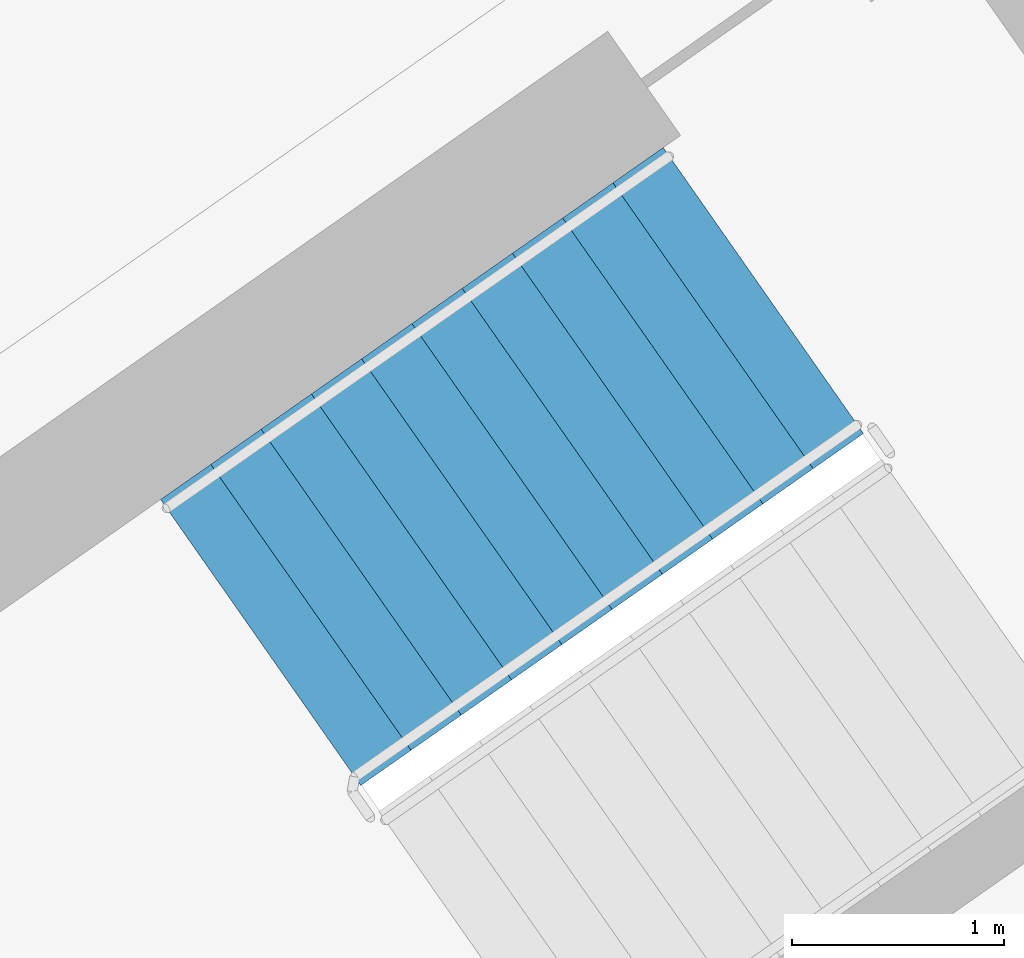
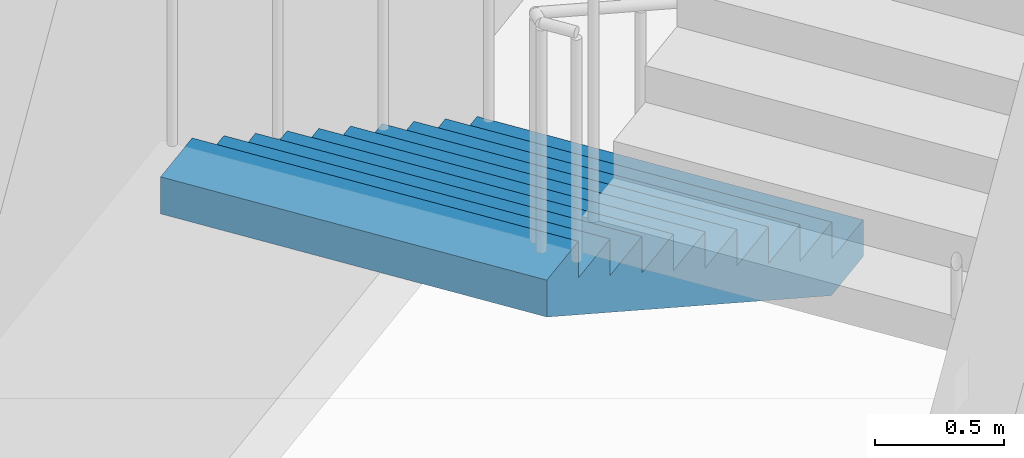
# One storey, part 18 of 27: 1 stair flight, 1 element without a shape of its own.
"""IFC4 building model written with IfcOpenShell, lengths in metres."""

from ifc_helpers import new_model, si_unit, direction, frame, origin, place, context, subcontext, project, spatial, faceted_brep, material, type_object, element, aggregate, save


model = new_model("IFC4")

# Units and contexts
model_context = context("Model", 3, precision=1e-05, world=origin(), true_north=direction((0.0, 1.0)))
body_context = subcontext(model_context, "Body", "Model", "MODEL_VIEW")
ifc_project = project(units=[si_unit("LENGTHUNIT", "METRE"), si_unit("AREAUNIT", "SQUARE_METRE"), si_unit("VOLUMEUNIT", "CUBIC_METRE"), si_unit("PLANEANGLEUNIT", "RADIAN"), si_unit("MASSUNIT", "GRAM", prefix="KILO")], contexts=[model_context])

# Site, building, storey
site_placement = place(None, origin())
site = spatial("IfcSite", under=ifc_project, at=site_placement, CompositionType="ELEMENT")
building_placement = place(site_placement, origin())
building = spatial("IfcBuilding", under=site, at=building_placement, Name="Qamariyya Broadcast Tower", CompositionType="ELEMENT")
storey_placement = place(building_placement, frame((0.0, 0.0, 187.300048828125)))
storey = spatial("IfcBuildingStorey", under=building, at=storey_placement, Name="L44", CompositionType="ELEMENT", Elevation=187.300048828125)

# Stair, stair flight
ifc_material = material(Name="Concrete C50/60", Category="concrete")
stair_type = type_object("IfcStairType", Name="Exit stair 22 risers of 173 mm", PredefinedType="HALF_TURN_STAIR", material=ifc_material)
stair_placement = place(storey_placement, origin())
stair = element("IfcStair", 1, at=stair_placement, inside=storey, type_object=stair_type, Name="L44 Stair E2", PredefinedType="HALF_TURN_STAIR")
stair_flight_type = type_object("IfcStairFlightType", Name="Exit stair flight 11 risers of 173 mm", PredefinedType="STRAIGHT", material=ifc_material)
stair_flight_placement = place(storey_placement, frame((40.558837890625, -47.685302734375, 0.0), z_axis=(0.0, 0.0, 1.0), x_axis=(-0.819152044289, -0.573576436351, 0.0)))
stair_flight = element("IfcStairFlight", 2, at=stair_flight_placement, type_object=stair_flight_type, Name="ST-E2 flight 1", NumberOfRisers=11, NumberOfTreads=10, PredefinedType="STRAIGHT", RiserHeight=0.172727273, TreadLength=0.29, context=body_context, shape_type="Brep", body=[
    faceted_brep([(0.0, 0.824951171875, 0.0), (0.0, 0.824951171875, 0.172607421875), (0.2900390625, 0.824951171875, 0.172607421875), (0.2900390625, 0.824951171875, 0.345458984375), (0.580078125, 0.824951171875, 0.345458984375), (0.580078125, 0.824951171875, 0.51806640625), (0.8701171875, 0.824951171875, 0.51806640625), (0.8701171875, 0.824951171875, 0.69091796875), (1.159912109375, 0.824951171875, 0.69091796875), (1.159912109375, 0.824951171875, 0.863525390625), (1.449951171875, 0.824951171875, 0.863525390625), (1.449951171875, 0.824951171875, 1.036376953125), (1.739990234375, 0.824951171875, 1.036376953125), (1.739990234375, 0.824951171875, 1.208984375), (2.030029296875, 0.824951171875, 1.208984375), (2.030029296875, 0.824951171875, 1.3818359375), (2.320068359375, 0.824951171875, 1.3818359375), (2.320068359375, 0.824951171875, 1.554443359375), (2.610107421875, 0.824951171875, 1.554443359375), (2.610107421875, 0.824951171875, 1.727294921875), (2.89990234375, 0.824951171875, 1.727294921875), (2.89990234375, 0.824951171875, 1.552734375), (0.29296875, 0.824951171875, 0.0), (0.29296875, -0.824951171875, 0.0), (2.89990234375, -0.824951171875, 1.552734375), (2.89990234375, -0.824951171875, 1.727294921875), (2.610107421875, -0.824951171875, 1.727294921875), (2.610107421875, -0.824951171875, 1.554443359375), (2.320068359375, -0.824951171875, 1.554443359375), (2.320068359375, -0.824951171875, 1.3818359375), (2.030029296875, -0.824951171875, 1.3818359375), (2.030029296875, -0.824951171875, 1.208984375), (1.739990234375, -0.824951171875, 1.208984375), (1.739990234375, -0.824951171875, 1.036376953125), (1.449951171875, -0.824951171875, 1.036376953125), (1.449951171875, -0.824951171875, 0.863525390625), (1.159912109375, -0.824951171875, 0.863525390625), (1.159912109375, -0.824951171875, 0.69091796875), (0.8701171875, -0.824951171875, 0.69091796875), (0.8701171875, -0.824951171875, 0.51806640625), (0.580078125, -0.824951171875, 0.51806640625), (0.580078125, -0.824951171875, 0.345458984375), (0.2900390625, -0.824951171875, 0.345458984375), (0.2900390625, -0.824951171875, 0.172607421875), (0.0, -0.824951171875, 0.172607421875), (0.0, -0.824951171875, 0.0), (0.0, 0.10009765625, 0.0), (0.0, 0.086669921875, 0.0), (0.0, 0.0732421875, 0.0), (0.0, 0.06005859375, 0.0), (0.0, 0.046630859375, 0.0), (0.0, 0.033447265625, 0.0), (0.0, 0.02001953125, 0.0), (0.0, 0.006591796875, 0.0), (0.0, -0.006591796875, 0.0), (0.0, -0.02001953125, 0.0), (0.0, -0.033447265625, 0.0), (0.0, -0.046630859375, 0.0), (0.0, -0.06005859375, 0.0), (0.0, -0.0732421875, 0.0), (0.0, -0.086669921875, 0.0), (0.0, -0.10009765625, 0.0), (0.0, -0.10009765625, 0.172607421875), (0.0, -0.086669921875, 0.172607421875), (0.0, -0.0732421875, 0.172607421875), (0.0, -0.06005859375, 0.172607421875), (0.0, -0.046630859375, 0.172607421875), (0.0, -0.033447265625, 0.172607421875), (0.0, -0.02001953125, 0.172607421875), (0.0, -0.006591796875, 0.172607421875), (0.0, 0.006591796875, 0.172607421875), (0.0, 0.02001953125, 0.172607421875), (0.0, 0.033447265625, 0.172607421875), (0.0, 0.046630859375, 0.172607421875), (0.0, 0.06005859375, 0.172607421875), (0.0, 0.0732421875, 0.172607421875), (0.0, 0.086669921875, 0.172607421875), (0.0, 0.10009765625, 0.172607421875), (0.2900390625, -0.10009765625, 0.172607421875), (0.2900390625, -0.086669921875, 0.172607421875), (0.2900390625, -0.0732421875, 0.172607421875), (0.2900390625, -0.06005859375, 0.172607421875), (0.2900390625, -0.046630859375, 0.172607421875), (0.2900390625, -0.033447265625, 0.172607421875), (0.2900390625, -0.02001953125, 0.172607421875), (0.2900390625, -0.006591796875, 0.172607421875), (0.2900390625, 0.006591796875, 0.172607421875), (0.2900390625, 0.02001953125, 0.172607421875), (0.2900390625, 0.033447265625, 0.172607421875), (0.2900390625, 0.046630859375, 0.172607421875), (0.2900390625, 0.06005859375, 0.172607421875), (0.2900390625, 0.0732421875, 0.172607421875), (0.2900390625, 0.086669921875, 0.172607421875), (0.2900390625, 0.10009765625, 0.172607421875), (0.2900390625, -0.10009765625, 0.345458984375), (0.2900390625, -0.086669921875, 0.345458984375), (0.2900390625, -0.0732421875, 0.345458984375), (0.2900390625, -0.06005859375, 0.345458984375), (0.2900390625, -0.046630859375, 0.345458984375), (0.2900390625, -0.033447265625, 0.345458984375), (0.2900390625, -0.02001953125, 0.345458984375), (0.2900390625, -0.006591796875, 0.345458984375), (0.2900390625, 0.006591796875, 0.345458984375), (0.2900390625, 0.02001953125, 0.345458984375), (0.2900390625, 0.033447265625, 0.345458984375), (0.2900390625, 0.046630859375, 0.345458984375), (0.2900390625, 0.06005859375, 0.345458984375), (0.2900390625, 0.0732421875, 0.345458984375), (0.2900390625, 0.086669921875, 0.345458984375), (0.2900390625, 0.10009765625, 0.345458984375), (0.580078125, -0.10009765625, 0.345458984375), (0.580078125, -0.086669921875, 0.345458984375), (0.580078125, -0.0732421875, 0.345458984375), (0.580078125, -0.06005859375, 0.345458984375), (0.580078125, -0.046630859375, 0.345458984375), (0.580078125, -0.033447265625, 0.345458984375), (0.580078125, -0.02001953125, 0.345458984375), (0.580078125, -0.006591796875, 0.345458984375), (0.580078125, 0.006591796875, 0.345458984375), (0.580078125, 0.02001953125, 0.345458984375), (0.580078125, 0.033447265625, 0.345458984375), (0.580078125, 0.046630859375, 0.345458984375), (0.580078125, 0.06005859375, 0.345458984375), (0.580078125, 0.0732421875, 0.345458984375), (0.580078125, 0.086669921875, 0.345458984375), (0.580078125, 0.10009765625, 0.345458984375), (0.580078125, -0.10009765625, 0.51806640625), (0.580078125, -0.086669921875, 0.51806640625), (0.580078125, -0.0732421875, 0.51806640625), (0.580078125, -0.06005859375, 0.51806640625), (0.580078125, -0.046630859375, 0.51806640625), (0.580078125, -0.033447265625, 0.51806640625), (0.580078125, -0.02001953125, 0.51806640625), (0.580078125, -0.006591796875, 0.51806640625), (0.580078125, 0.006591796875, 0.51806640625), (0.580078125, 0.02001953125, 0.51806640625), (0.580078125, 0.033447265625, 0.51806640625), (0.580078125, 0.046630859375, 0.51806640625), (0.580078125, 0.06005859375, 0.51806640625), (0.580078125, 0.0732421875, 0.51806640625), (0.580078125, 0.086669921875, 0.51806640625), (0.580078125, 0.10009765625, 0.51806640625), (0.8701171875, -0.10009765625, 0.51806640625), (0.8701171875, -0.086669921875, 0.51806640625), (0.8701171875, -0.0732421875, 0.51806640625), (0.8701171875, -0.06005859375, 0.51806640625), (0.8701171875, -0.046630859375, 0.51806640625), (0.8701171875, -0.033447265625, 0.51806640625), (0.8701171875, -0.02001953125, 0.51806640625), (0.8701171875, -0.006591796875, 0.51806640625), (0.8701171875, 0.006591796875, 0.51806640625), (0.8701171875, 0.02001953125, 0.51806640625), (0.8701171875, 0.033447265625, 0.51806640625), (0.8701171875, 0.046630859375, 0.51806640625), (0.8701171875, 0.06005859375, 0.51806640625), (0.8701171875, 0.0732421875, 0.51806640625), (0.8701171875, 0.086669921875, 0.51806640625), (0.8701171875, 0.10009765625, 0.51806640625), (0.8701171875, -0.10009765625, 0.69091796875), (0.8701171875, -0.086669921875, 0.69091796875), (0.8701171875, -0.0732421875, 0.69091796875), (0.8701171875, -0.06005859375, 0.69091796875), (0.8701171875, -0.046630859375, 0.69091796875), (0.8701171875, -0.033447265625, 0.69091796875), (0.8701171875, -0.02001953125, 0.69091796875), (0.8701171875, -0.006591796875, 0.69091796875), (0.8701171875, 0.006591796875, 0.69091796875), (0.8701171875, 0.02001953125, 0.69091796875), (0.8701171875, 0.033447265625, 0.69091796875), (0.8701171875, 0.046630859375, 0.69091796875), (0.8701171875, 0.06005859375, 0.69091796875), (0.8701171875, 0.0732421875, 0.69091796875), (0.8701171875, 0.086669921875, 0.69091796875), (0.8701171875, 0.10009765625, 0.69091796875), (1.159912109375, -0.10009765625, 0.69091796875), (1.159912109375, -0.086669921875, 0.69091796875), (1.159912109375, -0.0732421875, 0.69091796875), (1.159912109375, -0.06005859375, 0.69091796875), (1.159912109375, -0.046630859375, 0.69091796875), (1.159912109375, -0.033447265625, 0.69091796875), (1.159912109375, -0.02001953125, 0.69091796875), (1.159912109375, -0.006591796875, 0.69091796875), (1.159912109375, 0.006591796875, 0.69091796875), (1.159912109375, 0.02001953125, 0.69091796875), (1.159912109375, 0.033447265625, 0.69091796875), (1.159912109375, 0.046630859375, 0.69091796875), (1.159912109375, 0.06005859375, 0.69091796875), (1.159912109375, 0.0732421875, 0.69091796875), (1.159912109375, 0.086669921875, 0.69091796875), (1.159912109375, 0.10009765625, 0.69091796875), (1.159912109375, -0.10009765625, 0.863525390625), (1.159912109375, -0.086669921875, 0.863525390625), (1.159912109375, -0.0732421875, 0.863525390625), (1.159912109375, -0.06005859375, 0.863525390625), (1.159912109375, -0.046630859375, 0.863525390625), (1.159912109375, -0.033447265625, 0.863525390625), (1.159912109375, -0.02001953125, 0.863525390625), (1.159912109375, -0.006591796875, 0.863525390625), (1.159912109375, 0.006591796875, 0.863525390625), (1.159912109375, 0.02001953125, 0.863525390625), (1.159912109375, 0.033447265625, 0.863525390625), (1.159912109375, 0.046630859375, 0.863525390625), (1.159912109375, 0.06005859375, 0.863525390625), (1.159912109375, 0.0732421875, 0.863525390625), (1.159912109375, 0.086669921875, 0.863525390625), (1.159912109375, 0.10009765625, 0.863525390625), (1.449951171875, -0.10009765625, 0.863525390625), (1.449951171875, -0.086669921875, 0.863525390625), (1.449951171875, -0.0732421875, 0.863525390625), (1.449951171875, -0.06005859375, 0.863525390625), (1.449951171875, -0.046630859375, 0.863525390625), (1.449951171875, -0.033447265625, 0.863525390625), (1.449951171875, -0.02001953125, 0.863525390625), (1.449951171875, -0.006591796875, 0.863525390625), (1.449951171875, 0.006591796875, 0.863525390625), (1.449951171875, 0.02001953125, 0.863525390625), (1.449951171875, 0.033447265625, 0.863525390625), (1.449951171875, 0.046630859375, 0.863525390625), (1.449951171875, 0.06005859375, 0.863525390625), (1.449951171875, 0.0732421875, 0.863525390625), (1.449951171875, 0.086669921875, 0.863525390625), (1.449951171875, 0.10009765625, 0.863525390625), (1.449951171875, -0.10009765625, 1.036376953125), (1.449951171875, -0.086669921875, 1.036376953125), (1.449951171875, -0.0732421875, 1.036376953125), (1.449951171875, -0.06005859375, 1.036376953125), (1.449951171875, -0.046630859375, 1.036376953125), (1.449951171875, -0.033447265625, 1.036376953125), (1.449951171875, -0.02001953125, 1.036376953125), (1.449951171875, -0.006591796875, 1.036376953125), (1.449951171875, 0.006591796875, 1.036376953125), (1.449951171875, 0.02001953125, 1.036376953125), (1.449951171875, 0.033447265625, 1.036376953125), (1.449951171875, 0.046630859375, 1.036376953125), (1.449951171875, 0.06005859375, 1.036376953125), (1.449951171875, 0.0732421875, 1.036376953125), (1.449951171875, 0.086669921875, 1.036376953125), (1.449951171875, 0.10009765625, 1.036376953125), (1.739990234375, -0.10009765625, 1.036376953125), (1.739990234375, -0.086669921875, 1.036376953125), (1.739990234375, -0.0732421875, 1.036376953125), (1.739990234375, -0.06005859375, 1.036376953125), (1.739990234375, -0.046630859375, 1.036376953125), (1.739990234375, -0.033447265625, 1.036376953125), (1.739990234375, -0.02001953125, 1.036376953125), (1.739990234375, -0.006591796875, 1.036376953125), (1.739990234375, 0.006591796875, 1.036376953125), (1.739990234375, 0.02001953125, 1.036376953125), (1.739990234375, 0.033447265625, 1.036376953125), (1.739990234375, 0.046630859375, 1.036376953125), (1.739990234375, 0.06005859375, 1.036376953125), (1.739990234375, 0.0732421875, 1.036376953125), (1.739990234375, 0.086669921875, 1.036376953125), (1.739990234375, 0.10009765625, 1.036376953125), (1.739990234375, -0.10009765625, 1.208984375), (1.739990234375, -0.086669921875, 1.208984375), (1.739990234375, -0.0732421875, 1.208984375), (1.739990234375, -0.06005859375, 1.208984375), (1.739990234375, -0.046630859375, 1.208984375), (1.739990234375, -0.033447265625, 1.208984375), (1.739990234375, -0.02001953125, 1.208984375), (1.739990234375, -0.006591796875, 1.208984375), (1.739990234375, 0.006591796875, 1.208984375), (1.739990234375, 0.02001953125, 1.208984375), (1.739990234375, 0.033447265625, 1.208984375), (1.739990234375, 0.046630859375, 1.208984375), (1.739990234375, 0.06005859375, 1.208984375), (1.739990234375, 0.0732421875, 1.208984375), (1.739990234375, 0.086669921875, 1.208984375), (1.739990234375, 0.10009765625, 1.208984375), (2.030029296875, -0.10009765625, 1.208984375), (2.030029296875, -0.086669921875, 1.208984375), (2.030029296875, -0.0732421875, 1.208984375), (2.030029296875, -0.06005859375, 1.208984375), (2.030029296875, -0.046630859375, 1.208984375), (2.030029296875, -0.033447265625, 1.208984375), (2.030029296875, -0.02001953125, 1.208984375), (2.030029296875, -0.006591796875, 1.208984375), (2.030029296875, 0.006591796875, 1.208984375), (2.030029296875, 0.02001953125, 1.208984375), (2.030029296875, 0.033447265625, 1.208984375), (2.030029296875, 0.046630859375, 1.208984375), (2.030029296875, 0.06005859375, 1.208984375), (2.030029296875, 0.0732421875, 1.208984375), (2.030029296875, 0.086669921875, 1.208984375), (2.030029296875, 0.10009765625, 1.208984375), (2.030029296875, -0.10009765625, 1.3818359375), (2.030029296875, -0.086669921875, 1.3818359375), (2.030029296875, -0.0732421875, 1.3818359375), (2.030029296875, -0.06005859375, 1.3818359375), (2.030029296875, -0.046630859375, 1.3818359375), (2.030029296875, -0.033447265625, 1.3818359375), (2.030029296875, -0.02001953125, 1.3818359375), (2.030029296875, -0.006591796875, 1.3818359375), (2.030029296875, 0.006591796875, 1.3818359375), (2.030029296875, 0.02001953125, 1.3818359375), (2.030029296875, 0.033447265625, 1.3818359375), (2.030029296875, 0.046630859375, 1.3818359375), (2.030029296875, 0.06005859375, 1.3818359375), (2.030029296875, 0.0732421875, 1.3818359375), (2.030029296875, 0.086669921875, 1.3818359375), (2.030029296875, 0.10009765625, 1.3818359375), (2.320068359375, -0.10009765625, 1.3818359375), (2.320068359375, -0.086669921875, 1.3818359375), (2.320068359375, -0.0732421875, 1.3818359375), (2.320068359375, -0.06005859375, 1.3818359375), (2.320068359375, -0.046630859375, 1.3818359375), (2.320068359375, -0.033447265625, 1.3818359375), (2.320068359375, -0.02001953125, 1.3818359375), (2.320068359375, -0.006591796875, 1.3818359375), (2.320068359375, 0.006591796875, 1.3818359375), (2.320068359375, 0.02001953125, 1.3818359375), (2.320068359375, 0.033447265625, 1.3818359375), (2.320068359375, 0.046630859375, 1.3818359375), (2.320068359375, 0.06005859375, 1.3818359375), (2.320068359375, 0.0732421875, 1.3818359375), (2.320068359375, 0.086669921875, 1.3818359375), (2.320068359375, 0.10009765625, 1.3818359375), (2.320068359375, -0.10009765625, 1.554443359375), (2.320068359375, -0.086669921875, 1.554443359375), (2.320068359375, -0.0732421875, 1.554443359375), (2.320068359375, -0.06005859375, 1.554443359375), (2.320068359375, -0.046630859375, 1.554443359375), (2.320068359375, -0.033447265625, 1.554443359375), (2.320068359375, -0.02001953125, 1.554443359375), (2.320068359375, -0.006591796875, 1.554443359375), (2.320068359375, 0.006591796875, 1.554443359375), (2.320068359375, 0.02001953125, 1.554443359375), (2.320068359375, 0.033447265625, 1.554443359375), (2.320068359375, 0.046630859375, 1.554443359375), (2.320068359375, 0.06005859375, 1.554443359375), (2.320068359375, 0.0732421875, 1.554443359375), (2.320068359375, 0.086669921875, 1.554443359375), (2.320068359375, 0.10009765625, 1.554443359375), (2.610107421875, -0.10009765625, 1.554443359375), (2.610107421875, -0.086669921875, 1.554443359375), (2.610107421875, -0.0732421875, 1.554443359375), (2.610107421875, -0.06005859375, 1.554443359375), (2.610107421875, -0.046630859375, 1.554443359375), (2.610107421875, -0.033447265625, 1.554443359375), (2.610107421875, -0.02001953125, 1.554443359375), (2.610107421875, -0.006591796875, 1.554443359375), (2.610107421875, 0.006591796875, 1.554443359375), (2.610107421875, 0.02001953125, 1.554443359375), (2.610107421875, 0.033447265625, 1.554443359375), (2.610107421875, 0.046630859375, 1.554443359375), (2.610107421875, 0.06005859375, 1.554443359375), (2.610107421875, 0.0732421875, 1.554443359375), (2.610107421875, 0.086669921875, 1.554443359375), (2.610107421875, 0.10009765625, 1.554443359375), (2.610107421875, -0.10009765625, 1.727294921875), (2.610107421875, -0.086669921875, 1.727294921875), (2.610107421875, -0.0732421875, 1.727294921875), (2.610107421875, -0.06005859375, 1.727294921875), (2.610107421875, -0.046630859375, 1.727294921875), (2.610107421875, -0.033447265625, 1.727294921875), (2.610107421875, -0.02001953125, 1.727294921875), (2.610107421875, -0.006591796875, 1.727294921875), (2.610107421875, 0.006591796875, 1.727294921875), (2.610107421875, 0.02001953125, 1.727294921875), (2.610107421875, 0.033447265625, 1.727294921875), (2.610107421875, 0.046630859375, 1.727294921875), (2.610107421875, 0.06005859375, 1.727294921875), (2.610107421875, 0.0732421875, 1.727294921875), (2.610107421875, 0.086669921875, 1.727294921875), (2.610107421875, 0.10009765625, 1.727294921875), (2.89990234375, -0.10009765625, 1.727294921875), (2.89990234375, -0.086669921875, 1.727294921875), (2.89990234375, -0.0732421875, 1.727294921875), (2.89990234375, -0.06005859375, 1.727294921875), (2.89990234375, -0.046630859375, 1.727294921875), (2.89990234375, -0.033447265625, 1.727294921875), (2.89990234375, -0.02001953125, 1.727294921875), (2.89990234375, -0.006591796875, 1.727294921875), (2.89990234375, 0.006591796875, 1.727294921875), (2.89990234375, 0.02001953125, 1.727294921875), (2.89990234375, 0.033447265625, 1.727294921875), (2.89990234375, 0.046630859375, 1.727294921875), (2.89990234375, 0.06005859375, 1.727294921875), (2.89990234375, 0.0732421875, 1.727294921875), (2.89990234375, 0.086669921875, 1.727294921875), (2.89990234375, 0.10009765625, 1.727294921875), (2.89990234375, -0.10009765625, 1.552734375), (2.89990234375, -0.086669921875, 1.552734375), (2.89990234375, -0.0732421875, 1.552734375), (2.89990234375, -0.06005859375, 1.552734375), (2.89990234375, -0.046630859375, 1.552734375), (2.89990234375, -0.033447265625, 1.552734375), (2.89990234375, -0.02001953125, 1.552734375), (2.89990234375, -0.006591796875, 1.552734375), (2.89990234375, 0.006591796875, 1.552734375), (2.89990234375, 0.02001953125, 1.552734375), (2.89990234375, 0.033447265625, 1.552734375), (2.89990234375, 0.046630859375, 1.552734375), (2.89990234375, 0.06005859375, 1.552734375), (2.89990234375, 0.0732421875, 1.552734375), (2.89990234375, 0.086669921875, 1.552734375), (2.89990234375, 0.10009765625, 1.552734375), (0.29296875, -0.10009765625, 0.0), (0.29296875, -0.086669921875, 0.0), (0.29296875, -0.0732421875, 0.0), (0.29296875, -0.06005859375, 0.0), (0.29296875, -0.046630859375, 0.0), (0.29296875, -0.033447265625, 0.0), (0.29296875, -0.02001953125, 0.0), (0.29296875, -0.006591796875, 0.0), (0.29296875, 0.006591796875, 0.0), (0.29296875, 0.02001953125, 0.0), (0.29296875, 0.033447265625, 0.0), (0.29296875, 0.046630859375, 0.0), (0.29296875, 0.06005859375, 0.0), (0.29296875, 0.0732421875, 0.0), (0.29296875, 0.086669921875, 0.0), (0.29296875, 0.10009765625, 0.0)], [[[0, 1, 2, 3, 4, 5, 6, 7, 8, 9, 10, 11, 12, 13, 14, 15, 16, 17, 18, 19, 20, 21, 22]], [[23, 24, 25, 26, 27, 28, 29, 30, 31, 32, 33, 34, 35, 36, 37, 38, 39, 40, 41, 42, 43, 44, 45]], [[0, 46, 47, 48, 49, 50, 51, 52, 53, 54, 55, 56, 57, 58, 59, 60, 61, 45, 44, 62, 63, 64, 65, 66, 67, 68, 69, 70, 71, 72, 73, 74, 75, 76, 77, 1]], [[1, 77, 76, 75, 74, 73, 72, 71, 70, 69, 68, 67, 66, 65, 64, 63, 62, 44, 43, 78, 79, 80, 81, 82, 83, 84, 85, 86, 87, 88, 89, 90, 91, 92, 93, 2]], [[2, 93, 92, 91, 90, 89, 88, 87, 86, 85, 84, 83, 82, 81, 80, 79, 78, 43, 42, 94, 95, 96, 97, 98, 99, 100, 101, 102, 103, 104, 105, 106, 107, 108, 109, 3]], [[3, 109, 108, 107, 106, 105, 104, 103, 102, 101, 100, 99, 98, 97, 96, 95, 94, 42, 41, 110, 111, 112, 113, 114, 115, 116, 117, 118, 119, 120, 121, 122, 123, 124, 125, 4]], [[4, 125, 124, 123, 122, 121, 120, 119, 118, 117, 116, 115, 114, 113, 112, 111, 110, 41, 40, 126, 127, 128, 129, 130, 131, 132, 133, 134, 135, 136, 137, 138, 139, 140, 141, 5]], [[5, 141, 140, 139, 138, 137, 136, 135, 134, 133, 132, 131, 130, 129, 128, 127, 126, 40, 39, 142, 143, 144, 145, 146, 147, 148, 149, 150, 151, 152, 153, 154, 155, 156, 157, 6]], [[6, 157, 156, 155, 154, 153, 152, 151, 150, 149, 148, 147, 146, 145, 144, 143, 142, 39, 38, 158, 159, 160, 161, 162, 163, 164, 165, 166, 167, 168, 169, 170, 171, 172, 173, 7]], [[7, 173, 172, 171, 170, 169, 168, 167, 166, 165, 164, 163, 162, 161, 160, 159, 158, 38, 37, 174, 175, 176, 177, 178, 179, 180, 181, 182, 183, 184, 185, 186, 187, 188, 189, 8]], [[8, 189, 188, 187, 186, 185, 184, 183, 182, 181, 180, 179, 178, 177, 176, 175, 174, 37, 36, 190, 191, 192, 193, 194, 195, 196, 197, 198, 199, 200, 201, 202, 203, 204, 205, 9]], [[9, 205, 204, 203, 202, 201, 200, 199, 198, 197, 196, 195, 194, 193, 192, 191, 190, 36, 35, 206, 207, 208, 209, 210, 211, 212, 213, 214, 215, 216, 217, 218, 219, 220, 221, 10]], [[10, 221, 220, 219, 218, 217, 216, 215, 214, 213, 212, 211, 210, 209, 208, 207, 206, 35, 34, 222, 223, 224, 225, 226, 227, 228, 229, 230, 231, 232, 233, 234, 235, 236, 237, 11]], [[11, 237, 236, 235, 234, 233, 232, 231, 230, 229, 228, 227, 226, 225, 224, 223, 222, 34, 33, 238, 239, 240, 241, 242, 243, 244, 245, 246, 247, 248, 249, 250, 251, 252, 253, 12]], [[12, 253, 252, 251, 250, 249, 248, 247, 246, 245, 244, 243, 242, 241, 240, 239, 238, 33, 32, 254, 255, 256, 257, 258, 259, 260, 261, 262, 263, 264, 265, 266, 267, 268, 269, 13]], [[13, 269, 268, 267, 266, 265, 264, 263, 262, 261, 260, 259, 258, 257, 256, 255, 254, 32, 31, 270, 271, 272, 273, 274, 275, 276, 277, 278, 279, 280, 281, 282, 283, 284, 285, 14]], [[14, 285, 284, 283, 282, 281, 280, 279, 278, 277, 276, 275, 274, 273, 272, 271, 270, 31, 30, 286, 287, 288, 289, 290, 291, 292, 293, 294, 295, 296, 297, 298, 299, 300, 301, 15]], [[15, 301, 300, 299, 298, 297, 296, 295, 294, 293, 292, 291, 290, 289, 288, 287, 286, 30, 29, 302, 303, 304, 305, 306, 307, 308, 309, 310, 311, 312, 313, 314, 315, 316, 317, 16]], [[16, 317, 316, 315, 314, 313, 312, 311, 310, 309, 308, 307, 306, 305, 304, 303, 302, 29, 28, 318, 319, 320, 321, 322, 323, 324, 325, 326, 327, 328, 329, 330, 331, 332, 333, 17]], [[17, 333, 332, 331, 330, 329, 328, 327, 326, 325, 324, 323, 322, 321, 320, 319, 318, 28, 27, 334, 335, 336, 337, 338, 339, 340, 341, 342, 343, 344, 345, 346, 347, 348, 349, 18]], [[18, 349, 348, 347, 346, 345, 344, 343, 342, 341, 340, 339, 338, 337, 336, 335, 334, 27, 26, 350, 351, 352, 353, 354, 355, 356, 357, 358, 359, 360, 361, 362, 363, 364, 365, 19]], [[19, 365, 364, 363, 362, 361, 360, 359, 358, 357, 356, 355, 354, 353, 352, 351, 350, 26, 25, 366, 367, 368, 369, 370, 371, 372, 373, 374, 375, 376, 377, 378, 379, 380, 381, 20]], [[20, 381, 380, 379, 378, 377, 376, 375, 374, 373, 372, 371, 370, 369, 368, 367, 366, 25, 24, 382, 383, 384, 385, 386, 387, 388, 389, 390, 391, 392, 393, 394, 395, 396, 397, 21]], [[21, 397, 396, 395, 394, 393, 392, 391, 390, 389, 388, 387, 386, 385, 384, 383, 382, 24, 23, 398, 399, 400, 401, 402, 403, 404, 405, 406, 407, 408, 409, 410, 411, 412, 413, 22]], [[22, 413, 412, 411, 410, 409, 408, 407, 406, 405, 404, 403, 402, 401, 400, 399, 398, 23, 45, 61, 60, 59, 58, 57, 56, 55, 54, 53, 52, 51, 50, 49, 48, 47, 46, 0]]]),
])
aggregate(stair, [stair_flight])

save(model, "model.ifc")
